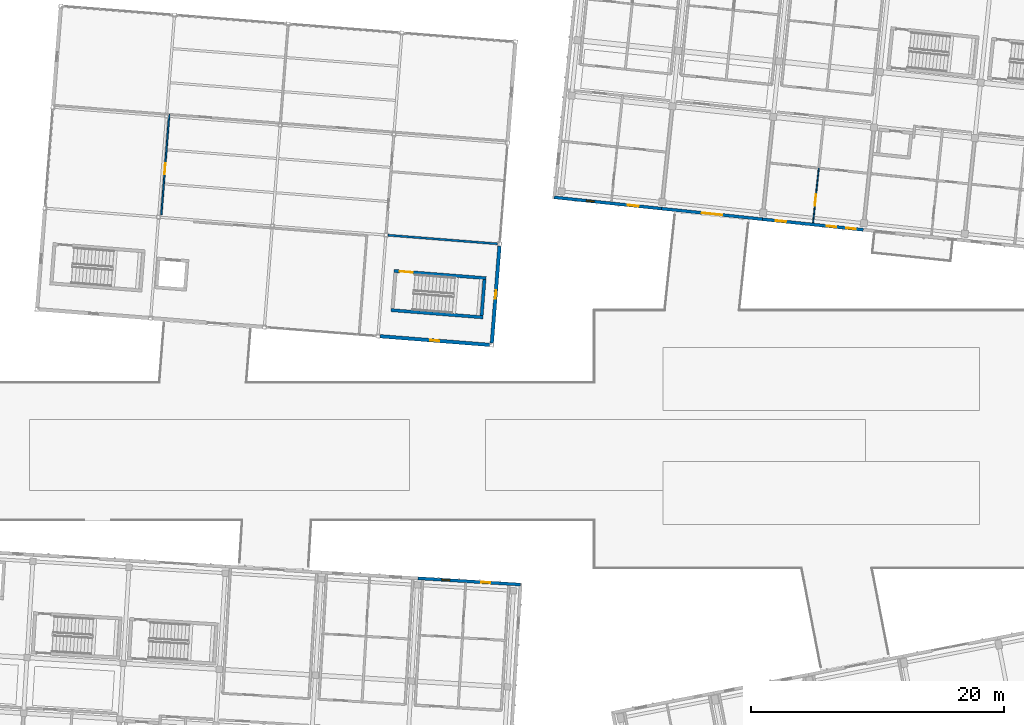
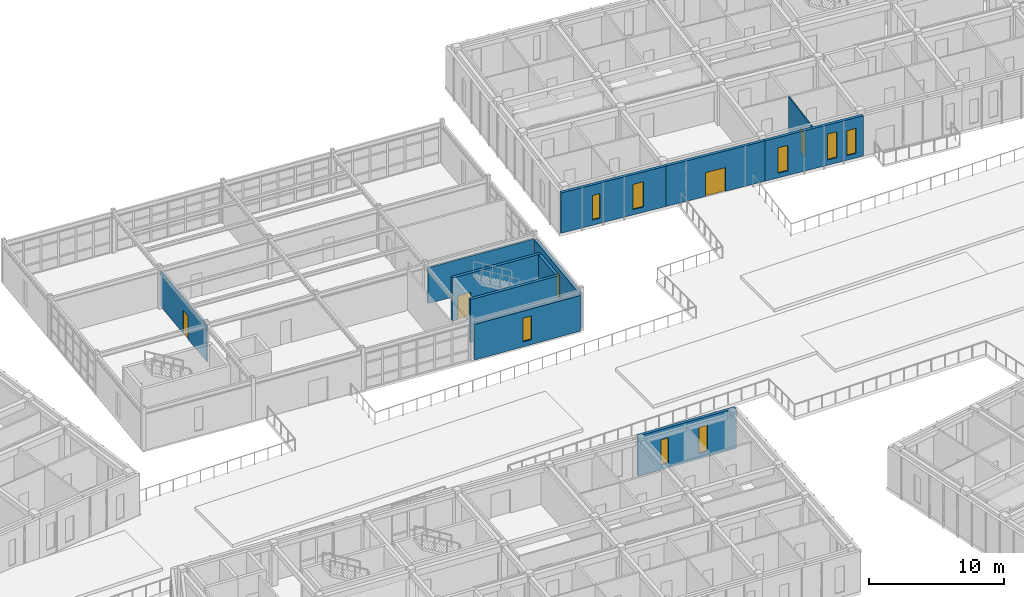
# One storey, part 97 of 150: 12 walls, 9 windows, 4 doors, 13 openings.
"""IFC4 building model written with IfcOpenShell, lengths in metres."""

from ifc_helpers import new_model, si_unit, direction, frame, frame_2d, origin, place, context, subcontext, project, spatial, rectangle, extrude, material, layer, layer_set, type_object, element, fill, save


model = new_model("IFC4")

# Units and contexts
model_context = context("Model", 3, precision=1e-05, world=origin(), true_north=direction((0.0, 1.0)))
body_context = subcontext(model_context, "Body", "Model", "MODEL_VIEW")
ifc_project = project(units=[si_unit("LENGTHUNIT", "METRE"), si_unit("AREAUNIT", "SQUARE_METRE"), si_unit("VOLUMEUNIT", "CUBIC_METRE"), si_unit("PLANEANGLEUNIT", "RADIAN"), si_unit("MASSUNIT", "GRAM", prefix="KILO")], contexts=[model_context])

# Site, building, storey
site_placement = place(None, origin())
site = spatial("IfcSite", under=ifc_project, at=site_placement, CompositionType="ELEMENT")
building_placement = place(site_placement, origin())
building = spatial("IfcBuilding", under=site, at=building_placement, Name="Kestramere Prow Commons", CompositionType="ELEMENT")
storey_placement = place(building_placement, frame((0.0, 0.0, 4.5)))
storey = spatial("IfcBuildingStorey", under=building, at=storey_placement, Name="L01", CompositionType="ELEMENT", Elevation=4.5)

# Wall, opening, window
ifc_material_1 = material(Name="Precast concrete C40/50", Category="concrete")
ifc_layer_1 = layer(ifc_material_1, 0.280029296875)
ifc_layer_set_1 = layer_set([ifc_layer_1], Name="Precast concrete C40/50")
wall_type_1 = type_object("IfcWallType", Name="EW-CIVIC-280", PredefinedType="SOLIDWALL", material=ifc_layer_set_1)
wall_1_placement = place(storey_placement, frame((104.339599609375, 82.687255859375, 0.0), z_axis=(0.0, 0.0, 1.0), x_axis=(-0.996917238993, 0.078460299505, 0.0)))
wall_1 = element("IfcWall", 1, at=wall_1_placement, inside=storey, type_object=wall_type_1, Name="Nursery L01 South Wall 4", PredefinedType="SOLIDWALL", context=body_context, shape_type="SweptSolid", body=[
    extrude(rectangle(XDim=8.7001953125, YDim=0.280029296875, at=frame_2d((4.35009765625, 0.0))), origin(), (0.0, 0.0, 1.0), 3.22998046875),
])
opening_1_placement = place(wall_1_placement, frame((4.0, 0.0, 0.449951171875)))
opening_1 = element("IfcOpeningElement", 2, at=opening_1_placement, cuts=wall_1, Name="Opening WN-16", PredefinedType="OPENING", context=body_context, shape_type="SweptSolid", body=[
    extrude(rectangle(XDim=0.699951171875, YDim=2.139892578125, at=frame_2d((0.35009765625, 1.06982421875))), frame((0.0, 0.155029296875, 0.0), z_axis=(0.0, -1.0, 0.0), x_axis=(1.0, 0.0, 0.0)), (0.0, 0.0, 1.0), 0.31005859375),
])
ifc_material_2 = material(Name="Low-E Laminated Double Glazing", Category="glass")
window_type_1 = type_object("IfcWindowType", Name="WN-CIV-700", PartitioningType="SINGLE_PANEL", PredefinedType="WINDOW", material=ifc_material_2)
window_1_placement = place(opening_1_placement, origin())
window_1 = element("IfcWindow", 3, at=window_1_placement, inside=storey, type_object=window_type_1, Name="WN-NR-L01-S-3", OverallHeight=2.139892578125, OverallWidth=0.699951171875, PartitioningType="SINGLE_PANEL", PredefinedType="WINDOW", context=body_context, shape_type="SweptSolid", body=[
    extrude(rectangle(XDim=0.699951171875, YDim=2.139892578125, at=frame_2d((0.35009765625, 1.06982421875))), frame((0.0, 0.030029296875, 0.0), z_axis=(0.0, -1.0, 0.0), x_axis=(1.0, 0.0, 0.0)), (0.0, 0.0, 1.0), 0.06005859375),
])
fill(opening_1, window_1)

wall_2_placement = place(storey_placement, frame((105.10498046875, 90.501220703125, 0.0), z_axis=(0.0, 0.0, 1.0), x_axis=(-0.078473620365, -0.996916190513, 0.0)))
wall_2 = element("IfcWall", 4, at=wall_2_placement, inside=storey, type_object=wall_type_1, Name="Nursery L01 E Wall 1", PredefinedType="SOLIDWALL", context=body_context, shape_type="SweptSolid", body=[
    extrude(rectangle(XDim=7.699951171875, YDim=0.280029296875, at=frame_2d((3.85009765625, 0.0))), origin(), (0.0, 0.0, 1.0), 3.22998046875),
])
opening_2_placement = place(wall_2_placement, frame((3.5, 0.0, 0.449951171875)))
opening_2 = element("IfcOpeningElement", 5, at=opening_2_placement, cuts=wall_2, Name="Opening WN-16", PredefinedType="OPENING", context=body_context, shape_type="SweptSolid", body=[
    extrude(rectangle(XDim=0.699951171875, YDim=2.139892578125, at=frame_2d((0.35009765625, 1.06982421875))), frame((0.0, 0.155029296875, 0.0), z_axis=(0.0, -1.0, 0.0), x_axis=(1.0, 0.0, 0.0)), (0.0, 0.0, 1.0), 0.31005859375),
])
window_2_placement = place(opening_2_placement, origin())
window_2 = element("IfcWindow", 6, at=window_2_placement, inside=storey, type_object=window_type_1, Name="WN-NR-L01-E-0", OverallHeight=2.139892578125, OverallWidth=0.699951171875, PartitioningType="SINGLE_PANEL", PredefinedType="WINDOW", context=body_context, shape_type="SweptSolid", body=[
    extrude(rectangle(XDim=0.699951171875, YDim=2.139892578125, at=frame_2d((0.35009765625, 1.06982421875))), frame((0.0, 0.030029296875, 0.0), z_axis=(0.0, -1.0, 0.0), x_axis=(1.0, 0.0, 0.0)), (0.0, 0.0, 1.0), 0.06005859375),
])
fill(opening_2, window_2)

# Wall, openings, windows
ifc_material_3 = material(Name="Fluoropolymer Standing-Seam Zinc-Aluminium Cladding", Category="aluminium")
ifc_layer_2 = layer(ifc_material_3, 0.239990234375)
ifc_layer_set_2 = layer_set([ifc_layer_2], Name="Fluoropolymer Standing-Seam Zinc-Aluminium Cladding")
wall_type_2 = type_object("IfcWallType", Name="EW-SEAM-240", PredefinedType="SOLIDWALL", material=ifc_layer_set_2)
wall_3_placement = place(storey_placement, frame((117.9013671875, 93.441650390625, 0.0), z_axis=(0.0, 0.0, 1.0), x_axis=(-0.994521760736, 0.104529744196, 0.0)))
wall_3 = element("IfcWall", 7, at=wall_3_placement, inside=storey, type_object=wall_type_2, Name="Block B L01 South Standing-Seam Wall 1", PredefinedType="SOLIDWALL", context=body_context, shape_type="SweptSolid", body=[
    extrude(rectangle(XDim=8.52490234375, YDim=0.239990234375, at=frame_2d((4.262451171875, 0.0))), origin(), (0.0, 0.0, 1.0), 3.64990234375),
])
opening_3_placement = place(wall_3_placement, frame((1.83740234375, 0.0, 0.47998046875)))
opening_3 = element("IfcOpeningElement", 8, at=opening_3_placement, cuts=wall_3, Name="Opening WN-14", PredefinedType="OPENING", context=body_context, shape_type="SweptSolid", body=[
    extrude(rectangle(XDim=0.840087890625, YDim=2.280029296875, at=frame_2d((0.419921875, 1.14013671875))), frame((0.0, 0.135009765625, 0.0), z_axis=(0.0, -1.0, 0.0), x_axis=(1.0, 0.0, 0.0)), (0.0, 0.0, 1.0), 0.27001953125),
])
opening_4_placement = place(wall_3_placement, frame((5.36572265625, 0.0, 0.47998046875)))
opening_4 = element("IfcOpeningElement", 9, at=opening_4_placement, cuts=wall_3, Name="Opening WN-02", PredefinedType="OPENING", context=body_context, shape_type="SweptSolid", body=[
    extrude(rectangle(XDim=0.60009765625, YDim=2.219970703125, at=frame_2d((0.300048828125, 1.10986328125))), frame((0.0, 0.135009765625, 0.0), z_axis=(0.0, -1.0, 0.0), x_axis=(1.0, 0.0, 0.0)), (0.0, 0.0, 1.0), 0.27001953125),
])
window_type_2 = type_object("IfcWindowType", Name="WN-NAR-600A", PartitioningType="SINGLE_PANEL", PredefinedType="WINDOW", material=ifc_material_2)
window_3_placement = place(opening_4_placement, origin())
window_3 = element("IfcWindow", 10, at=window_3_placement, inside=storey, type_object=window_type_2, Name="WN-B-L01-S-0-10", OverallHeight=2.219970703125, OverallWidth=0.60009765625, PartitioningType="SINGLE_PANEL", PredefinedType="WINDOW", context=body_context, shape_type="SweptSolid", body=[
    extrude(rectangle(XDim=0.60009765625, YDim=2.219970703125, at=frame_2d((0.300048828125, 1.10986328125))), frame((0.0, 0.030029296875, 0.0), z_axis=(0.0, -1.0, 0.0), x_axis=(1.0, 0.0, 0.0)), (0.0, 0.0, 1.0), 0.06005859375),
])
fill(opening_4, window_3)
window_type_3 = type_object("IfcWindowType", Name="WN-NAR-840A", PartitioningType="DOUBLE_PANEL_VERTICAL", PredefinedType="WINDOW", material=ifc_material_2)
window_4_placement = place(opening_3_placement, origin())
window_4 = element("IfcWindow", 11, at=window_4_placement, inside=storey, type_object=window_type_3, Name="WN-B-L01-S-0-00", OverallHeight=2.280029296875, OverallWidth=0.840087890625, PartitioningType="SINGLE_PANEL", PredefinedType="WINDOW", context=body_context, shape_type="SweptSolid", body=[
    extrude(rectangle(XDim=0.840087890625, YDim=2.280029296875, at=frame_2d((0.419921875, 1.14013671875))), frame((0.0, 0.030029296875, 0.0), z_axis=(0.0, -1.0, 0.0), x_axis=(1.0, 0.0, 0.0)), (0.0, 0.0, 1.0), 0.06005859375),
])
fill(opening_3, window_4)

# Wall, opening, door
wall_4_placement = place(storey_placement, frame((125.857421875, 92.60546875, 0.0), z_axis=(0.0, 0.0, 1.0), x_axis=(-0.994522329422, 0.104524333444, 0.0)))
wall_4 = element("IfcWall", 12, at=wall_4_placement, inside=storey, type_object=wall_type_2, Name="Block B L01 South Standing-Seam Wall 2", PredefinedType="SOLIDWALL", context=body_context, shape_type="SweptSolid", body=[
    extrude(rectangle(XDim=7.999755859375, YDim=0.239990234375, at=frame_2d((4.0, 0.0))), origin(), (0.0, 0.0, 1.0), 3.64990234375),
])
opening_5_placement = place(wall_4_placement, frame((3.199951171875, 0.0, 0.0)))
opening_5 = element("IfcOpeningElement", 13, at=opening_5_placement, cuts=wall_4, Name="Opening GD-TER-01", PredefinedType="OPENING", context=body_context, shape_type="SweptSolid", body=[
    extrude(rectangle(XDim=1.60009765625, YDim=2.14990234375, at=frame_2d((0.800048828125, 1.074951171875))), frame((0.0, 0.135009765625, 0.0), z_axis=(0.0, -1.0, 0.0), x_axis=(1.0, 0.0, 0.0)), (0.0, 0.0, 1.0), 0.27001953125),
])
ifc_material_4 = material(Name="Thermally-Broken Anodised Aluminium Glazed", Category="aluminium")
door_type_1 = type_object("IfcDoorType", Name="GD-TERR-1600", OperationType="DOUBLE_DOOR_SINGLE_SWING", PredefinedType="DOOR", material=ifc_material_4)
door_1_placement = place(opening_5_placement, origin())
door_1 = element("IfcDoor", 14, at=door_1_placement, inside=storey, type_object=door_type_1, Name="Block B L01 Raised Courtyard Entrance Door", OperationType="DOUBLE_DOOR_SINGLE_SWING", OverallHeight=2.14990234375, OverallWidth=1.60009765625, PredefinedType="DOOR", context=body_context, shape_type="SweptSolid", body=[
    extrude(rectangle(XDim=1.60009765625, YDim=2.14990234375, at=frame_2d((0.800048828125, 1.074951171875))), frame((0.0, 0.02490234375, 0.0), z_axis=(0.0, -1.0, 0.0), x_axis=(1.0, 0.0, 0.0)), (0.0, 0.0, 1.0), 0.050048828125),
])
fill(opening_5, door_1)

# Wall, openings, windows
wall_5_placement = place(storey_placement, frame((133.813720703125, 91.769287109375, 0.0), z_axis=(0.0, 0.0, 1.0), x_axis=(-0.994522662826, 0.104521161134, 0.0)))
wall_5 = element("IfcWall", 15, at=wall_5_placement, inside=storey, type_object=wall_type_2, Name="Block B L01 South Standing-Seam Wall 3", PredefinedType="SOLIDWALL", context=body_context, shape_type="SweptSolid", body=[
    extrude(rectangle(XDim=8.0, YDim=0.239990234375, at=frame_2d((4.0, 0.0))), origin(), (0.0, 0.0, 1.0), 3.64990234375),
])
opening_6_placement = place(wall_5_placement, frame((0.610107421875, 0.0, 0.419921875)))
opening_6 = element("IfcOpeningElement", 16, at=opening_6_placement, cuts=wall_5, Name="Opening WN-09", PredefinedType="OPENING", context=body_context, shape_type="SweptSolid", body=[
    extrude(rectangle(XDim=0.739990234375, YDim=2.260009765625, at=frame_2d((0.3701171875, 1.1298828125))), frame((0.0, 0.135009765625, 0.0), z_axis=(0.0, -1.0, 0.0), x_axis=(1.0, 0.0, 0.0)), (0.0, 0.0, 1.0), 0.27001953125),
])
opening_7_placement = place(wall_5_placement, frame((2.139892578125, 0.0, 0.47998046875)))
opening_7 = element("IfcOpeningElement", 17, at=opening_7_placement, cuts=wall_5, Name="Opening WN-10", PredefinedType="OPENING", context=body_context, shape_type="SweptSolid", body=[
    extrude(rectangle(XDim=0.760009765625, YDim=2.340087890625, at=frame_2d((0.3798828125, 1.169921875))), frame((0.0, 0.135009765625, 0.0), z_axis=(0.0, -1.0, 0.0), x_axis=(1.0, 0.0, 0.0)), (0.0, 0.0, 1.0), 0.27001953125),
])
opening_8_placement = place(wall_5_placement, frame((6.134765625, 0.0, 0.419921875)))
opening_8 = element("IfcOpeningElement", 18, at=opening_8_placement, cuts=wall_5, Name="Opening WN-12", PredefinedType="OPENING", context=body_context, shape_type="SweptSolid", body=[
    extrude(rectangle(XDim=0.800048828125, YDim=2.300048828125, at=frame_2d((0.39990234375, 1.14990234375))), frame((0.0, 0.135009765625, 0.0), z_axis=(0.0, -1.0, 0.0), x_axis=(1.0, 0.0, 0.0)), (0.0, 0.0, 1.0), 0.27001953125),
])
window_type_4 = type_object("IfcWindowType", Name="WN-NAR-740A", PartitioningType="SINGLE_PANEL", PredefinedType="WINDOW", material=ifc_material_2)
window_5_placement = place(opening_6_placement, origin())
window_5 = element("IfcWindow", 19, at=window_5_placement, inside=storey, type_object=window_type_4, Name="WN-B-L01-S-2-00", OverallHeight=2.260009765625, OverallWidth=0.739990234375, PartitioningType="SINGLE_PANEL", PredefinedType="WINDOW", context=body_context, shape_type="SweptSolid", body=[
    extrude(rectangle(XDim=0.739990234375, YDim=2.260009765625, at=frame_2d((0.3701171875, 1.1298828125))), frame((0.0, 0.030029296875, 0.0), z_axis=(0.0, -1.0, 0.0), x_axis=(1.0, 0.0, 0.0)), (0.0, 0.0, 1.0), 0.06005859375),
])
fill(opening_6, window_5)
window_type_5 = type_object("IfcWindowType", Name="WN-NAR-760A", PartitioningType="SINGLE_PANEL", PredefinedType="WINDOW", material=ifc_material_2)
window_6_placement = place(opening_7_placement, origin())
window_6 = element("IfcWindow", 20, at=window_6_placement, inside=storey, type_object=window_type_5, Name="WN-B-L01-S-2-01", OverallHeight=2.340087890625, OverallWidth=0.760009765625, PartitioningType="SINGLE_PANEL", PredefinedType="WINDOW", context=body_context, shape_type="SweptSolid", body=[
    extrude(rectangle(XDim=0.760009765625, YDim=2.340087890625, at=frame_2d((0.3798828125, 1.169921875))), frame((0.0, 0.030029296875, 0.0), z_axis=(0.0, -1.0, 0.0), x_axis=(1.0, 0.0, 0.0)), (0.0, 0.0, 1.0), 0.06005859375),
])
fill(opening_7, window_6)
window_type_6 = type_object("IfcWindowType", Name="WN-NAR-800A", PartitioningType="SINGLE_PANEL", PredefinedType="WINDOW", material=ifc_material_2)
window_7_placement = place(opening_8_placement, origin())
window_7 = element("IfcWindow", 21, at=window_7_placement, inside=storey, type_object=window_type_6, Name="WN-B-L01-S-2-10", OverallHeight=2.300048828125, OverallWidth=0.800048828125, PartitioningType="SINGLE_PANEL", PredefinedType="WINDOW", context=body_context, shape_type="SweptSolid", body=[
    extrude(rectangle(XDim=0.800048828125, YDim=2.300048828125, at=frame_2d((0.39990234375, 1.14990234375))), frame((0.0, 0.030029296875, 0.0), z_axis=(0.0, -1.0, 0.0), x_axis=(1.0, 0.0, 0.0)), (0.0, 0.0, 1.0), 0.06005859375),
])
fill(opening_8, window_7)

wall_6_placement = place(storey_placement, frame((98.65771484375, 64.267578125, 0.0), z_axis=(0.0, 0.0, 1.0), x_axis=(0.998134248939, -0.061057522844, 0.0)))
wall_6 = element("IfcWall", 22, at=wall_6_placement, inside=storey, type_object=wall_type_2, Name="Block C L01 North Standing-Seam Wall 6", PredefinedType="SOLIDWALL", context=body_context, shape_type="SweptSolid", body=[
    extrude(rectangle(XDim=8.125, YDim=0.239990234375, at=frame_2d((4.0625, 0.0))), origin(), (0.0, 0.0, 1.0), 3.64990234375),
])
opening_9_placement = place(wall_6_placement, frame((1.90087890625, 0.0, 0.43994140625)))
opening_9 = element("IfcOpeningElement", 23, at=opening_9_placement, cuts=wall_6, Name="Opening WN-03", PredefinedType="OPENING", context=body_context, shape_type="SweptSolid", body=[
    extrude(rectangle(XDim=0.6201171875, YDim=2.280029296875, at=frame_2d((0.31005859375, 1.14013671875))), frame((0.0, 0.135009765625, 0.0), z_axis=(0.0, -1.0, 0.0), x_axis=(1.0, 0.0, 0.0)), (0.0, 0.0, 1.0), 0.27001953125),
])
opening_10_placement = place(wall_6_placement, frame((5.029541015625, 0.0, 0.5)))
opening_10 = element("IfcOpeningElement", 24, at=opening_10_placement, cuts=wall_6, Name="Opening WN-07", PredefinedType="OPENING", context=body_context, shape_type="SweptSolid", body=[
    extrude(rectangle(XDim=0.699951171875, YDim=2.360107421875, at=frame_2d((0.35009765625, 1.18017578125))), frame((0.0, 0.135009765625, 0.0), z_axis=(0.0, -1.0, 0.0), x_axis=(1.0, 0.0, 0.0)), (0.0, 0.0, 1.0), 0.27001953125),
])
window_type_7 = type_object("IfcWindowType", Name="WN-NAR-620A", PartitioningType="SINGLE_PANEL", PredefinedType="WINDOW", material=ifc_material_2)
window_8_placement = place(opening_9_placement, origin())
window_8 = element("IfcWindow", 25, at=window_8_placement, inside=storey, type_object=window_type_7, Name="WN-C-L01-N-5-0", OverallHeight=2.280029296875, OverallWidth=0.6201171875, PartitioningType="SINGLE_PANEL", PredefinedType="WINDOW", context=body_context, shape_type="SweptSolid", body=[
    extrude(rectangle(XDim=0.6201171875, YDim=2.280029296875, at=frame_2d((0.31005859375, 1.14013671875))), frame((0.0, 0.030029296875, 0.0), z_axis=(0.0, -1.0, 0.0), x_axis=(1.0, 0.0, 0.0)), (0.0, 0.0, 1.0), 0.06005859375),
])
fill(opening_9, window_8)
window_type_8 = type_object("IfcWindowType", Name="WN-NAR-700A", PartitioningType="SINGLE_PANEL", PredefinedType="WINDOW", material=ifc_material_2)
window_9_placement = place(opening_10_placement, origin())
window_9 = element("IfcWindow", 26, at=window_9_placement, inside=storey, type_object=window_type_8, Name="WN-C-L01-N-5-1", OverallHeight=2.360107421875, OverallWidth=0.699951171875, PartitioningType="SINGLE_PANEL", PredefinedType="WINDOW", context=body_context, shape_type="SweptSolid", body=[
    extrude(rectangle(XDim=0.699951171875, YDim=2.360107421875, at=frame_2d((0.35009765625, 1.18017578125))), frame((0.0, 0.030029296875, 0.0), z_axis=(0.0, -1.0, 0.0), x_axis=(1.0, 0.0, 0.0)), (0.0, 0.0, 1.0), 0.06005859375),
])
fill(opening_10, window_9)

# Wall, opening, door
ifc_material_5 = material(Name="Concrete C40/50", Category="concrete")
ifc_layer_3 = layer(ifc_material_5, 0.25)
ifc_layer_set_3 = layer_set([ifc_layer_3], Name="Concrete C40/50")
wall_type_3 = type_object("IfcWallType", Name="W-CORE-250", PredefinedType="SHEAR", material=ifc_layer_set_3)
wall_7_placement = place(storey_placement, frame((96.774169921875, 88.52392578125, 0.0), z_axis=(0.0, 0.0, 1.0), x_axis=(0.996917178022, -0.078461074196, 0.0)))
wall_7 = element("IfcWall", 27, at=wall_7_placement, inside=storey, type_object=wall_type_3, Name="SW-ST-N2-L01-N", PredefinedType="SHEAR", context=body_context, shape_type="SweptSolid", body=[
    extrude(rectangle(XDim=7.2998046875, YDim=0.25, at=frame_2d((3.64990234375, 0.0))), origin(), (0.0, 0.0, 1.0), 3.89990234375),
])
opening_11_placement = place(wall_7_placement, frame((0.449951171875, 0.0, 0.0)))
opening_11 = element("IfcOpeningElement", 28, at=opening_11_placement, cuts=wall_7, Name="Opening ID-01", PredefinedType="OPENING", context=body_context, shape_type="SweptSolid", body=[
    extrude(rectangle(XDim=1.050048828125, YDim=2.14990234375, at=frame_2d((0.52490234375, 1.074951171875))), frame((0.0, 0.139892578125, 0.0), z_axis=(0.0, -1.0, 0.0), x_axis=(1.0, 0.0, 0.0)), (0.0, 0.0, 1.0), 0.280029296875),
])
ifc_material_6 = material(Name="Fire-Rated Timber and Steel Frame", Category="steel")
door_type_2 = type_object("IfcDoorType", Name="FD-ST-01", OperationType="NOTDEFINED", PredefinedType="DOOR", material=ifc_material_6)
door_2_placement = place(opening_11_placement, origin())
door_2 = element("IfcDoor", 29, at=door_2_placement, inside=storey, type_object=door_type_2, Name="ST-N2 L01 Protected Stair Door", OperationType="SINGLE_SWING_RIGHT", OverallHeight=2.14990234375, OverallWidth=1.050048828125, PredefinedType="DOOR", context=body_context, shape_type="SweptSolid", body=[
    extrude(rectangle(XDim=1.050048828125, YDim=2.14990234375, at=frame_2d((0.52490234375, 1.074951171875))), frame((0.0, 0.02490234375, 0.0), z_axis=(0.0, -1.0, 0.0), x_axis=(1.0, 0.0, 0.0)), (0.0, 0.0, 1.0), 0.050048828125),
])
fill(opening_11, door_2)

# Walls
wall_8_placement = place(storey_placement, frame((96.53076171875, 85.433349609375, 0.0), z_axis=(0.0, 0.0, 1.0), x_axis=(0.996917383902, -0.078458458272, 0.0)))
element("IfcWall", 30, at=wall_8_placement, inside=storey, type_object=wall_type_3, Name="SW-ST-N2-L01-S", PredefinedType="SHEAR", context=body_context, shape_type="SweptSolid", body=[
    extrude(rectangle(XDim=7.300048828125, YDim=0.25, at=frame_2d((3.64990234375, 0.0))), origin(), (0.0, 0.0, 1.0), 3.89990234375),
])
wall_9_placement = place(storey_placement, frame((103.693603515625, 84.9951171875, 0.0), z_axis=(0.0, 0.0, 1.0), x_axis=(0.078471716745, 0.996916340357, 0.0)))
element("IfcWall", 31, at=wall_9_placement, inside=storey, type_object=wall_type_3, Name="SW-ST-N2-L01-E", PredefinedType="SHEAR", context=body_context, shape_type="SweptSolid", body=[
    extrude(rectangle(XDim=2.849853515625, YDim=0.25, at=frame_2d((1.4248046875, 0.0))), origin(), (0.0, 0.0, 1.0), 3.89990234375),
])

# Wall, opening, door
ifc_material_7 = material(Name="Lightweight Blockwork and Plaster", Category="masonry")
ifc_layer_4 = layer(ifc_material_7, 0.1201171875)
ifc_layer_set_4 = layer_set([ifc_layer_4], Name="Lightweight Blockwork and Plaster")
wall_type_4 = type_object("IfcWallType", Name="W-PART-120", PredefinedType="PARTITIONING", material=ifc_layer_set_4)
wall_10_placement = place(storey_placement, frame((78.4150390625, 92.952880859375, 0.0), z_axis=(0.0, 0.0, 1.0), x_axis=(0.078462345875, 0.996917077936, 0.0)))
wall_10 = element("IfcWall", 32, at=wall_10_placement, inside=storey, type_object=wall_type_4, Name="Interior Partition PW-NR-L01-CW", PredefinedType="PARTITIONING", context=body_context, shape_type="SweptSolid", body=[
    extrude(rectangle(XDim=7.949951171875, YDim=0.1201171875, at=frame_2d((3.97509765625, 0.0))), origin(), (0.0, 0.0, 1.0), 3.24365234375),
])
opening_12_placement = place(wall_10_placement, frame((3.199951171875, 0.0, 0.0)))
opening_12 = element("IfcOpeningElement", 33, at=opening_12_placement, cuts=wall_10, Name="Opening ID-10", PredefinedType="OPENING", context=body_context, shape_type="SweptSolid", body=[
    extrude(rectangle(XDim=0.8798828125, YDim=2.10009765625, at=frame_2d((0.43994140625, 1.050048828125))), frame((0.0, 0.074951171875, 0.0), z_axis=(0.0, -1.0, 0.0), x_axis=(1.0, 0.0, 0.0)), (0.0, 0.0, 1.0), 0.150146484375),
])
ifc_material_8 = material(Name="Engineered Timber Bedroom Door", Category="wood")
door_type_3 = type_object("IfcDoorType", Name="D-RM-03", OperationType="NOTDEFINED", PredefinedType="DOOR", material=ifc_material_8)
door_3_placement = place(opening_12_placement, origin())
door_3 = element("IfcDoor", 34, at=door_3_placement, inside=storey, type_object=door_type_3, Name="Interior Door DR-NR-L01-W1", OperationType="SINGLE_SWING_RIGHT", OverallHeight=2.10009765625, OverallWidth=0.8798828125, PredefinedType="DOOR", context=body_context, shape_type="SweptSolid", body=[
    extrude(rectangle(XDim=0.8798828125, YDim=2.10009765625, at=frame_2d((0.43994140625, 1.050048828125))), frame((0.0, 0.02490234375, 0.0), z_axis=(0.0, -1.0, 0.0), x_axis=(1.0, 0.0, 0.0)), (0.0, 0.0, 1.0), 0.050048828125),
])
fill(opening_12, door_3)

ifc_material_9 = material(Name="Gypsum Acoustic Drywall")
ifc_layer_5 = layer(ifc_material_9, 0.094970703125)
ifc_layer_set_5 = layer_set([ifc_layer_5], Name="Gypsum Acoustic Drywall")
wall_type_5 = type_object("IfcWallType", Name="W-PART-95", PredefinedType="PARTITIONING", material=ifc_layer_set_5)
wall_11_placement = place(storey_placement, frame((129.849609375, 92.321533203125, 0.0), z_axis=(0.0, 0.0, 1.0), x_axis=(0.104520797474, 0.994522701046, 0.0)))
wall_11 = element("IfcWall", 35, at=wall_11_placement, inside=storey, type_object=wall_type_5, Name="Interior Partition PW-B-L01-LB-S2", PredefinedType="PARTITIONING", context=body_context, shape_type="SweptSolid", body=[
    extrude(rectangle(XDim=4.33984375, YDim=0.094970703125, at=frame_2d((2.169921875, 0.0))), origin(), (0.0, 0.0, 1.0), 3.6201171875),
])
opening_13_placement = place(wall_11_placement, frame((1.35009765625, 0.0, 0.0)))
opening_13 = element("IfcOpeningElement", 36, at=opening_13_placement, cuts=wall_11, Name="Opening ID-08", PredefinedType="OPENING", context=body_context, shape_type="SweptSolid", body=[
    extrude(rectangle(XDim=0.89990234375, YDim=2.10009765625, at=frame_2d((0.449951171875, 1.050048828125))), frame((0.0, 0.0625, 0.0), z_axis=(0.0, -1.0, 0.0), x_axis=(1.0, 0.0, 0.0)), (0.0, 0.0, 1.0), 0.125),
])
ifc_material_10 = material(Name="Engineered Timber Flush Door", Category="wood")
door_type_4 = type_object("IfcDoorType", Name="D-RM-01", OperationType="NOTDEFINED", PredefinedType="DOOR", material=ifc_material_10)
door_4_placement = place(opening_13_placement, origin())
door_4 = element("IfcDoor", 37, at=door_4_placement, inside=storey, type_object=door_type_4, Name="Interior Door DR-B-L01-BED-S2", OperationType="SINGLE_SWING_LEFT", OverallHeight=2.10009765625, OverallWidth=0.89990234375, PredefinedType="DOOR", context=body_context, shape_type="SweptSolid", body=[
    extrude(rectangle(XDim=0.89990234375, YDim=2.10009765625, at=frame_2d((0.449951171875, 1.050048828125))), frame((0.0, 0.02490234375, 0.0), z_axis=(0.0, -1.0, 0.0), x_axis=(1.0, 0.0, 0.0)), (0.0, 0.0, 1.0), 0.050048828125),
])
fill(opening_13, door_4)

# Wall
ifc_material_11 = material(Name="Waterproof Sanitary Masonry Wall", Category="masonry")
ifc_layer_6 = layer(ifc_material_11, 0.1650390625)
ifc_layer_set_6 = layer_set([ifc_layer_6], Name="Waterproof Sanitary Masonry Wall")
wall_type_6 = type_object("IfcWallType", Name="W-PLUMB-150", PredefinedType="PLUMBINGWALL", material=ifc_layer_set_6)
wall_12_placement = place(storey_placement, frame((96.303955078125, 91.344482421875, 0.0), z_axis=(0.0, 0.0, 1.0), x_axis=(0.9969162409, -0.078472980254, 0.0)))
element("IfcWall", 38, at=wall_12_placement, inside=storey, type_object=wall_type_6, Name="Interior Partition PW-NR-L01-WCS", PredefinedType="PLUMBINGWALL", context=body_context, shape_type="SweptSolid", body=[
    extrude(rectangle(XDim=8.68017578125, YDim=0.1650390625, at=frame_2d((4.340087890625, 0.0))), origin(), (0.0, 0.0, 1.0), 3.24365234375),
])

save(model, "model.ifc")
